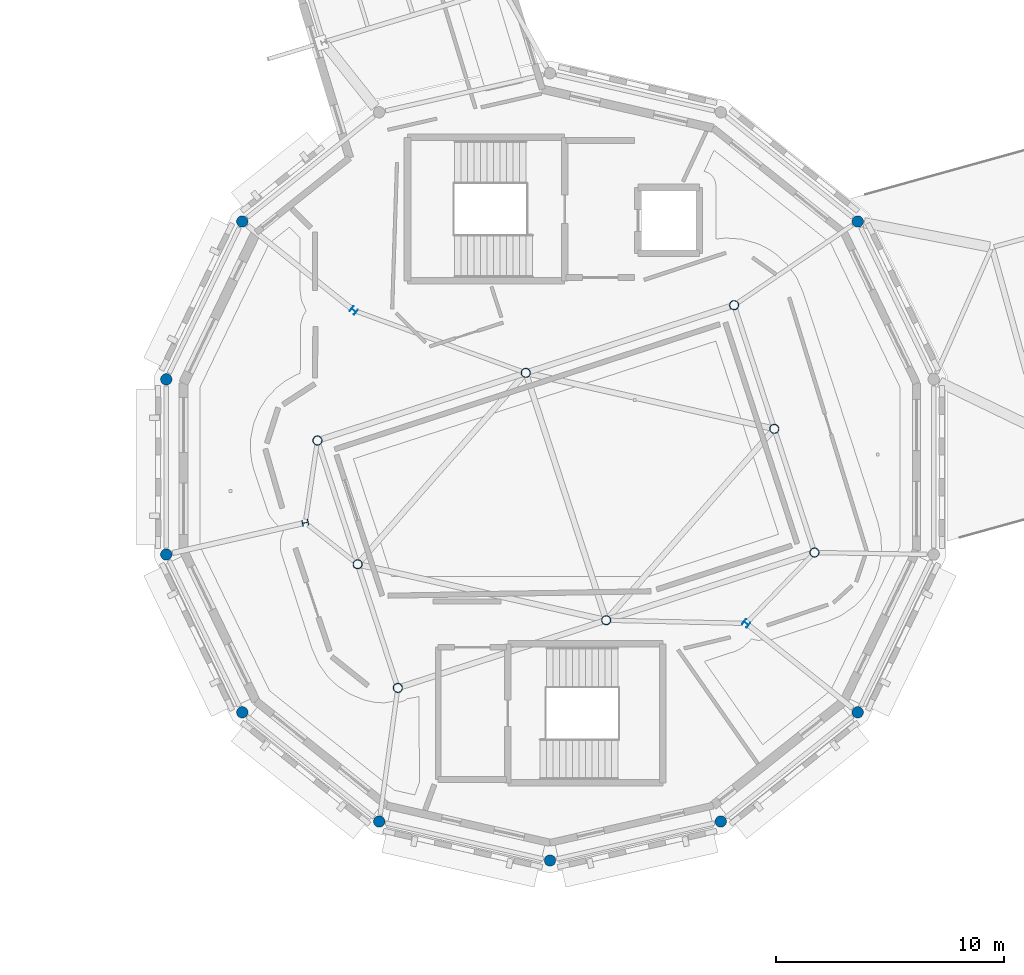
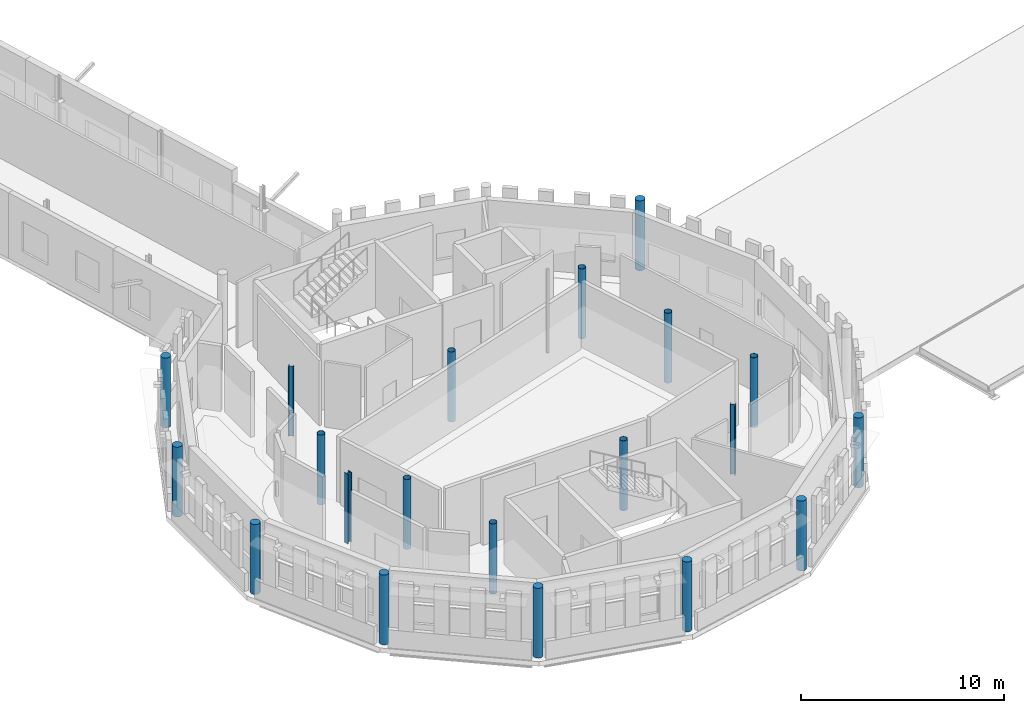
# One storey, part 1 of 90: 20 columns.
"""IFC4 building model written with IfcOpenShell, lengths in metres."""

from ifc_helpers import new_model, si_unit, direction, frame, origin, origin_2d, place, context, subcontext, project, spatial, circle, hollow_circle, i_section, extrude, material, material_profile, profile_set, type_object, element, save


model = new_model("IFC4")

# Units and contexts
model_context = context("Model", 3, precision=1e-05, world=origin(), true_north=direction((0.0, 1.0)))
body_context = subcontext(model_context, "Body", "Model", "MODEL_VIEW")
ifc_project = project(units=[si_unit("LENGTHUNIT", "METRE"), si_unit("AREAUNIT", "SQUARE_METRE"), si_unit("VOLUMEUNIT", "CUBIC_METRE"), si_unit("PLANEANGLEUNIT", "RADIAN"), si_unit("MASSUNIT", "GRAM", prefix="KILO")], contexts=[model_context])

# Site, building, storey
site_placement = place(None, origin())
site = spatial("IfcSite", under=ifc_project, at=site_placement, CompositionType="ELEMENT")
building_placement = place(site_placement, origin())
building = spatial("IfcBuilding", under=site, at=building_placement, Name="Wrenclough Park School", CompositionType="ELEMENT")
storey_placement = place(building_placement, frame((0.0, 0.0, 8.39990234375)))
storey = spatial("IfcBuildingStorey", under=building, at=storey_placement, Name="L02", CompositionType="ELEMENT", Elevation=8.39990234375)

# Columns
ifc_material_1 = material(Name="Structural steel S355", Category="steel")
ifc_material_profile_1 = material_profile(ifc_material_1, hollow_circle(Radius=0.203125, WallThickness=0.01611328125, at=origin_2d()), Name="CHS 406.4x16.0")
ifc_profile_set_1 = profile_set([ifc_material_profile_1], Name="Structural steel S355")
column_type_1 = type_object("IfcColumnType", Name="STR-COL-CHS406", PredefinedType="COLUMN", material=ifc_profile_set_1)
for number, where, z_axis, x_axis, name in (
    (1, (29.831298828125, 13.8125, 0.0), (0.0, 0.0, 1.0), (0.951056516295, 0.309016994375, 0.0), "D2 L02 column D2HR-0-0"),
    (2, (28.06982421875, 19.2333984375, 0.0), (0.0, 0.0, 1.0), (0.951056516295, 0.309016994375, 0.0), "D2 L02 column D2HR-0-1"),
    (3, (26.30859375, 24.654541015625, 0.0), (0.0, 0.0, 1.0), (0.951056516295, 0.309016994375, 0.0), "D2 L02 column D2HR-0-2"),
    (4, (38.96142578125, 16.779052734375, 0.0), (0.0, 0.0, 1.0), (0.951056516295, 0.309016994375, 0.0), "D2 L02 column D2HR-1-0"),
    (5, (35.438720703125, 27.62109375, 0.0), (0.0, 0.0, 1.0), (0.951056516295, 0.309016994375, 0.0), "D2 L02 column D2HR-1-2"),
    (6, (48.091552734375, 19.74560546875, 0.0), (0.0, 0.0, 1.0), (0.951056516295, 0.309016994375, 0.0), "D2 L02 column D2HR-2-0"),
    (7, (46.330078125, 25.16650390625, 0.0), (0.0, 0.0, 1.0), (0.951056516295, 0.309016994375, 0.0), "D2 L02 column D2HR-2-1"),
    (8, (44.568603515625, 30.587646484375, 0.0), (0.0, 0.0, 1.0), (0.951056516295, 0.309016994375, 0.0), "D2 L02 column D2HR-2-2"),
):
    element("IfcColumn", number, at=place(storey_placement, frame(where, z_axis=z_axis, x_axis=x_axis)), inside=storey, type_object=column_type_1, Name=name, PredefinedType="COLUMN", context=body_context, shape_type="SweptSolid", body=[
        extrude(hollow_circle(Radius=0.203125, WallThickness=0.01611328125, at=origin_2d()), origin(), (0.0, 0.0, 1.0), 4.2001953125),
    ])
ifc_material_2 = material(Name="Concrete C40/50", Category="concrete")
ifc_material_profile_2 = material_profile(ifc_material_2, circle(Radius=0.25, at=origin_2d()), Name="RC COL D500")
ifc_profile_set_2 = profile_set([ifc_material_profile_2], Name="Concrete C40/50")
column_type_2 = type_object("IfcColumnType", Name="STR-COL-RCD500", PredefinedType="COLUMN", material=ifc_profile_set_2)
for number, where, z_axis, x_axis, name in (
    (9, (49.986572265625, 34.255126953125, 0.0), (0.0, 0.0, 1.0), (-0.623470308046, 0.781847027868, 0.0), "D2 L02 column D2-OUT-02"),
    (10, (23.013427734375, 34.255126953125, 0.0), (0.0, 0.0, 1.0), (-0.623470308046, -0.781847027868, 0.0), "D2 L02 column D2-OUT-06"),
    (11, (19.6826171875, 27.33837890625, 0.0), (0.0, 0.0, 1.0), (-0.222569549971, -0.974916814618, 0.0), "D2 L02 column D2-OUT-07"),
    (12, (19.6826171875, 19.66162109375, 0.0), (0.0, 0.0, 1.0), (0.222569549971, -0.974916814618, 0.0), "D2 L02 column D2-OUT-08"),
    (13, (23.013427734375, 12.744873046875, 0.0), (0.0, 0.0, 1.0), (0.623470308046, -0.781847027868, 0.0), "D2 L02 column D2-OUT-09"),
    (14, (29.015380859375, 7.958251953125, 0.0), (0.0, 0.0, 1.0), (0.90100131981, -0.43381634559, 0.0), "D2 L02 column D2-OUT-10"),
    (15, (36.5, 6.25, 0.0), (0.0, 0.0, 1.0), (1.0, 0.0, 0.0), "D2 L02 column D2-OUT-11"),
    (16, (43.984619140625, 7.958251953125, 0.0), (0.0, 0.0, 1.0), (0.90100131981, 0.43381634559, 0.0), "D2 L02 column D2-OUT-12"),
    (17, (49.986572265625, 12.744873046875, 0.0), (0.0, 0.0, 1.0), (0.623470308046, 0.781847027868, 0.0), "D2 L02 column D2-OUT-13"),
):
    element("IfcColumn", number, at=place(storey_placement, frame(where, z_axis=z_axis, x_axis=x_axis)), inside=storey, type_object=column_type_2, Name=name, PredefinedType="COLUMN", context=body_context, shape_type="SweptSolid", body=[
        extrude(circle(Radius=0.25, at=origin_2d()), origin(), (0.0, 0.0, 1.0), 4.2001953125),
    ])
ifc_material_profile_3 = material_profile(ifc_material_1, i_section(OverallWidth=0.2587890625, OverallDepth=0.2666015625, WebThickness=0.0126953125, FlangeThickness=0.0205078125, FilletRadius=0.0126953125, at=origin_2d()), Name="UKC 254x254x107")
ifc_profile_set_3 = profile_set([ifc_material_profile_3], Name="Structural steel S355")
column_type_3 = type_object("IfcColumnType", Name="STR-COL-UKC254B", PredefinedType="COLUMN", material=ifc_profile_set_3)
for number, where, z_axis, x_axis, name in (
    (18, (27.89990234375, 30.3583984375, 0.0), (0.0, 0.0, 1.0), (-0.623470308046, -0.781847027868, 0.0), "D2 L02 column D2-MID-06"),
    (19, (25.77587890625, 21.05224609375, 0.0), (0.0, 0.0, 1.0), (0.222569549971, -0.974916814618, 0.0), "D2 L02 column D2-MID-08"),
    (20, (45.10009765625, 16.6416015625, 0.0), (0.0, 0.0, 1.0), (0.623470308046, 0.781847027868, 0.0), "D2 L02 column D2-MID-13"),
):
    element("IfcColumn", number, at=place(storey_placement, frame(where, z_axis=z_axis, x_axis=x_axis)), inside=storey, type_object=column_type_3, Name=name, PredefinedType="COLUMN", context=body_context, shape_type="SweptSolid", body=[
        extrude(i_section(OverallWidth=0.2587890625, OverallDepth=0.2666015625, WebThickness=0.0126953125, FlangeThickness=0.0205078125, FilletRadius=0.0126953125, at=origin_2d()), origin(), (0.0, 0.0, 1.0), 4.2001953125),
    ])

save(model, "model.ifc")
